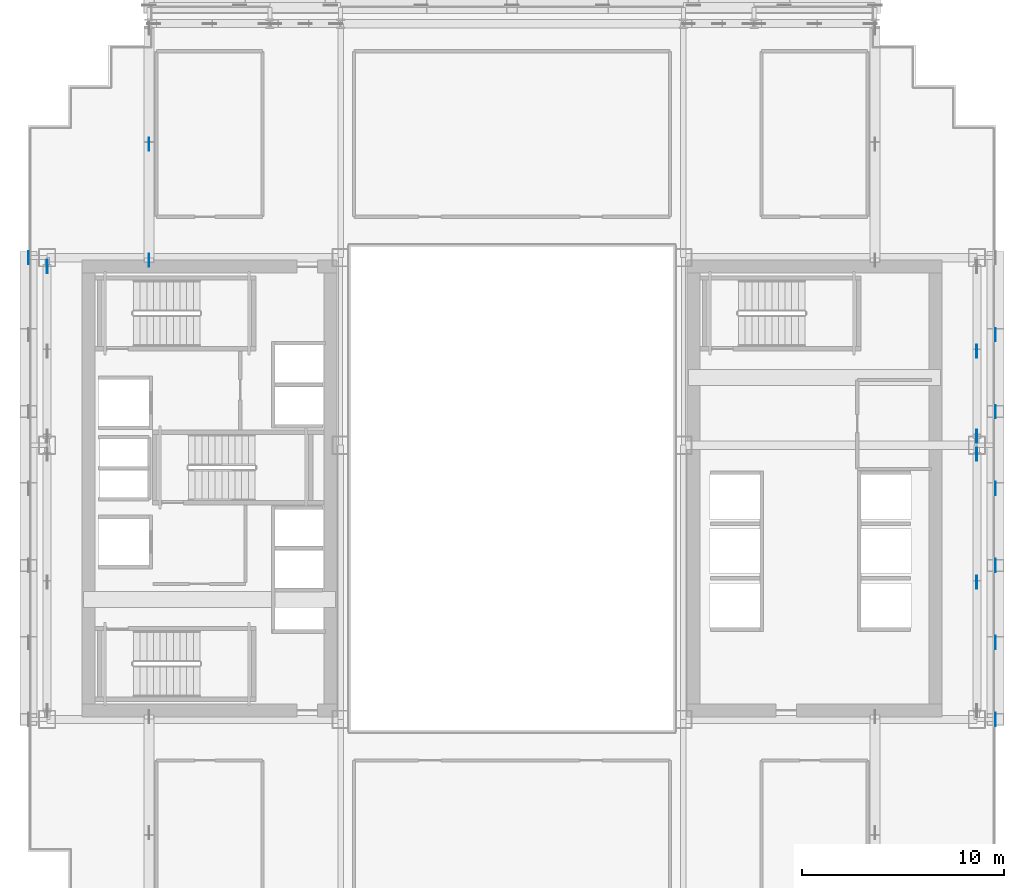
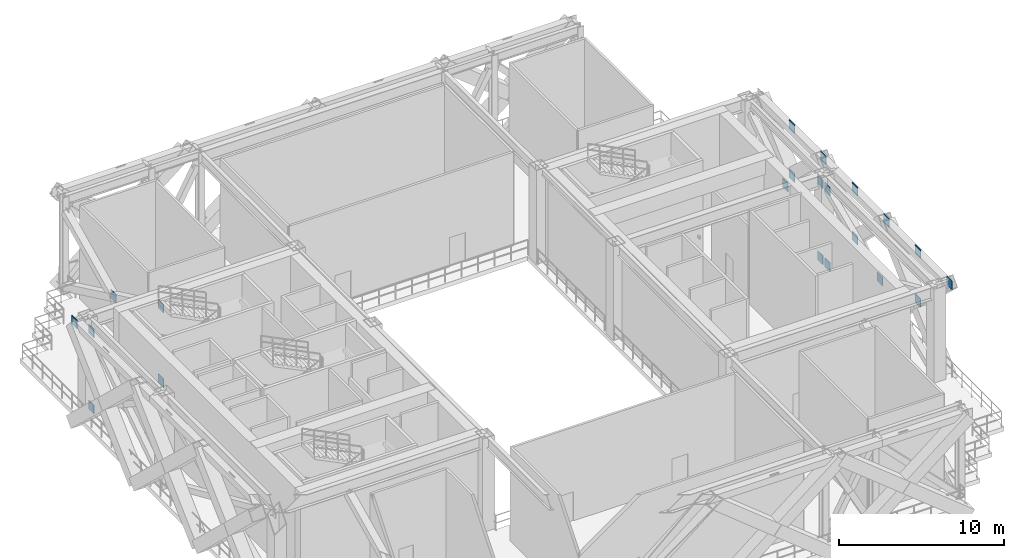
# One storey, part 5 of 14: 21 plates.
"""IFC4 building model written with IfcOpenShell, lengths in metres."""

from ifc_helpers import new_model, si_unit, direction, frame, origin, origin_2d, place, context, subcontext, project, spatial, rectangle, extrude, source, transform, mapped, material, layer, layer_set, type_object, element, save


model = new_model("IFC4")

# Units and contexts
model_context = context("Model", 3, precision=1e-05, world=origin(), true_north=direction((0.0, 1.0)))
body_context = subcontext(model_context, "Body", "Model", "MODEL_VIEW")
ifc_project = project(units=[si_unit("LENGTHUNIT", "METRE"), si_unit("AREAUNIT", "SQUARE_METRE"), si_unit("VOLUMEUNIT", "CUBIC_METRE"), si_unit("PLANEANGLEUNIT", "RADIAN"), si_unit("MASSUNIT", "GRAM", prefix="KILO")], contexts=[model_context])

# Site, building, storey
site_placement = place(None, origin())
site = spatial("IfcSite", under=ifc_project, at=site_placement, CompositionType="ELEMENT")
building_placement = place(site_placement, origin())
building = spatial("IfcBuilding", under=site, at=building_placement, Name="Ocotamira Hotel", CompositionType="ELEMENT")
storey_placement = place(building_placement, frame((0.0, 0.0, 85.199951171875)))
storey = spatial("IfcBuildingStorey", under=building, at=storey_placement, Name="L21", CompositionType="ELEMENT", Elevation=85.199951171875)

# Plates
ifc_material = material(Name="Pale-metal coated steel ASTM A572 Grade 50", Category="steel")
ifc_layer = layer(ifc_material, 0.0400390625)
ifc_layer_set = layer_set([ifc_layer], Name="Pale-metal coated steel ASTM A572 Grade 50")
plate_type = type_object("IfcPlateType", Name="PLT-GUSSET-40", PredefinedType="SHEET", material=ifc_layer_set)
shared_shape = source(origin(), body_context, "Body", "SweptSolid", [
    extrude(rectangle(XDim=0.0400390625, YDim=0.64990234375, at=origin_2d()), origin(), (0.0, 0.0, 1.0), 0.64990234375),
])
for number, where, z_axis, x_axis, name in (
    (1, (14.0, 37.324951171875, 0.025146484375), (0.0, 0.0, 1.0), (1.0, 0.0, 0.0), "L21 Outrigger Truss N X14 A End Gusset A"),
    (2, (14.0, 43.072509765625, 2.77001953125), (0.0, 0.0, 1.0), (1.0, 0.0, 0.0), "L21 Outrigger Truss N X14 B Crossing Gusset Plate"),
    (3, (14.0, 37.324951171875, 5.51513671875), (0.0, 0.0, 1.0), (1.0, 0.0, 0.0), "L21 Outrigger Truss N X14 B End Gusset A"),
    (4, (8.949951171875, 37.010009765625, 5.635009765625), (0.0, 0.0, 1.0), (1.0, 0.0, 0.0), "L21 Belt Truss Diagonal 8.95,28.15 A End Gusset B"),
    (5, (8.949951171875, 37.010009765625, 0.025146484375), (0.0, 0.0, 1.0), (1.0, 0.0, 0.0), "L21 Belt Truss Diagonal 8.95,28.15 B End Gusset B"),
    (6, (55.050048828125, 27.7099609375, 5.635009765625), (0.0, 0.0, 1.0), (1.0, 0.0, 0.0), "L21 Belt Truss Diagonal 55.05,14.55 A End Gusset B"),
    (7, (55.050048828125, 21.35009765625, 2.830078125), (0.0, 0.0, 1.0), (1.0, 0.0, 0.0), "L21 Belt Truss Diagonal 55.05,14.55 B Crossing Gusset Plate"),
    (8, (55.050048828125, 27.7099609375, 0.025146484375), (0.0, 0.0, 1.0), (1.0, 0.0, 0.0), "L21 Belt Truss Diagonal 55.05,14.55 B End Gusset B"),
    (9, (55.050048828125, 28.590087890625, 0.025146484375), (0.0, 0.0, 1.0), (1.0, 0.0, 0.0), "L21 Belt Truss Diagonal 55.05,28.15 A End Gusset A"),
    (10, (55.050048828125, 32.800048828125, 2.830078125), (0.0, 0.0, 1.0), (1.0, 0.0, 0.0), "L21 Belt Truss Diagonal 55.05,28.15 B Crossing Gusset Plate"),
    (11, (55.050048828125, 28.590087890625, 5.635009765625), (0.0, 0.0, 1.0), (1.0, 0.0, 0.0), "L21 Belt Truss Diagonal 55.05,28.15 B End Gusset A"),
    (12, (8.030029296875, 37.449951171875, 6.34521484375), (0.0, 0.0, 1.0), (1.0, 0.0, 0.0), "L21 Exoskeleton Diagrid W2.1 End Gusset B"),
    (13, (55.969970703125, 22.183349609375, 6.34521484375), (0.0, 0.0, 1.0), (1.0, 0.0, 0.0), "L21 Exoskeleton Diagrid E0.1 End Gusset B"),
    (14, (55.969970703125, 18.36669921875, 2.72509765625), (0.0, 0.0, 1.0), (1.0, 0.0, 0.0), "L21 Exoskeleton Diagrid E0.2 Crossing Gusset Plate"),
    (15, (55.969970703125, 14.550048828125, 6.34521484375), (0.0, 0.0, 1.0), (1.0, 0.0, 0.0), "L21 Exoskeleton Diagrid E0.2 End Gusset B"),
    (16, (55.969970703125, 29.816650390625, 6.34521484375), (0.0, 0.0, 1.0), (1.0, 0.0, 0.0), "L21 Exoskeleton Diagrid E1.1 End Gusset B"),
    (17, (55.969970703125, 26.0, 2.72509765625), (0.0, 0.0, 1.0), (1.0, 0.0, 0.0), "L21 Exoskeleton Diagrid E1.2 Crossing Gusset Plate"),
    (18, (55.969970703125, 33.63330078125, 2.72509765625), (0.0, 0.0, 1.0), (1.0, 0.0, 0.0), "L21 Exoskeleton Diagrid E2.2 Crossing Gusset Plate"),
    (19, (55.969970703125, 18.36669921875, 6.34521484375), (0.0, 0.0, 1.0), (1.0, 0.0, 0.0), "L21 Exoskeleton Diagrid E0.1 End Gusset A"),
    (20, (55.969970703125, 26.0, 6.34521484375), (0.0, 0.0, 1.0), (1.0, 0.0, 0.0), "L21 Exoskeleton Diagrid E1.1 End Gusset A"),
    (21, (55.969970703125, 33.63330078125, 6.34521484375), (0.0, 0.0, 1.0), (1.0, 0.0, 0.0), "L21 Exoskeleton Diagrid E2.1 End Gusset A"),
):
    element("IfcPlate", number, at=place(storey_placement, frame(where, z_axis=z_axis, x_axis=x_axis)), inside=storey, type_object=plate_type, Name=name, PredefinedType="SHEET", context=body_context, shape_type="MappedRepresentation", body=[
        mapped(shared_shape, transform((0.0, 0.0, 0.0), scale=1.0)),
    ])

save(model, "model.ifc")
